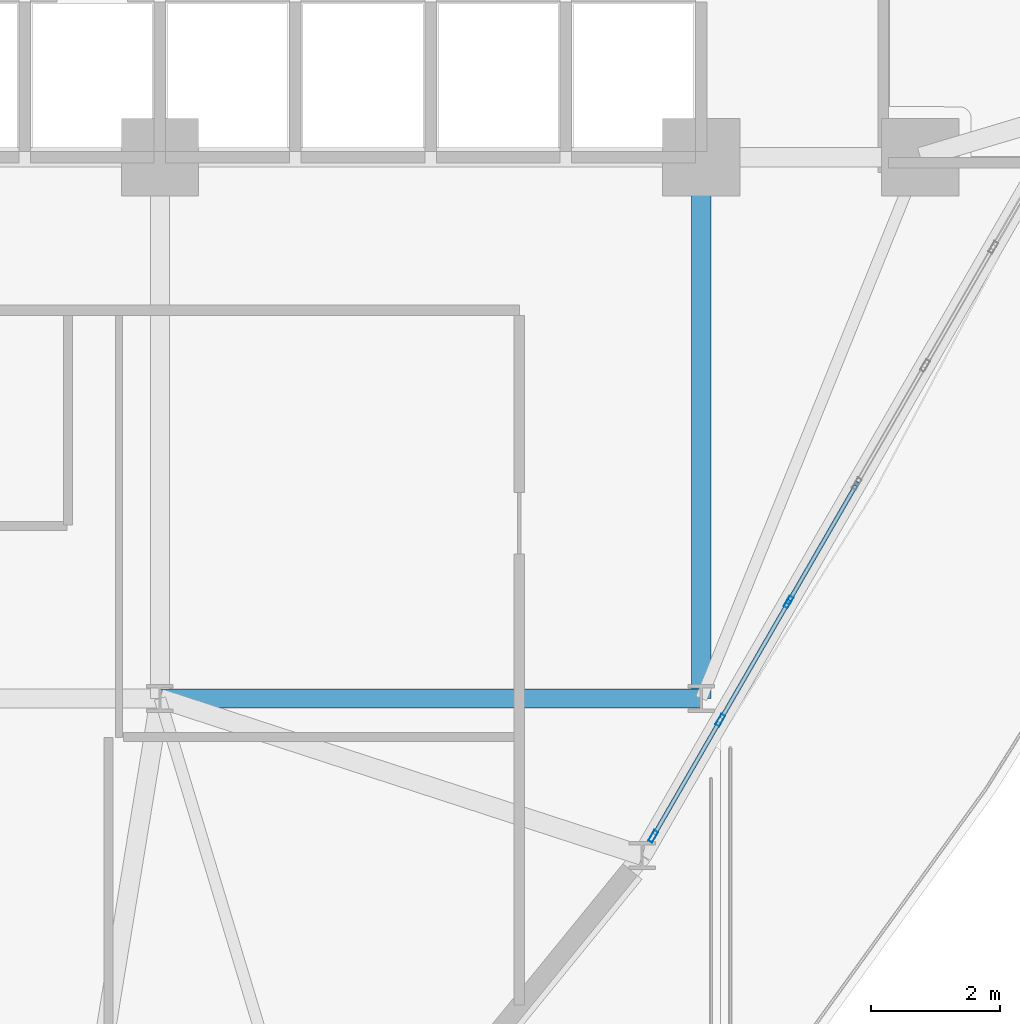
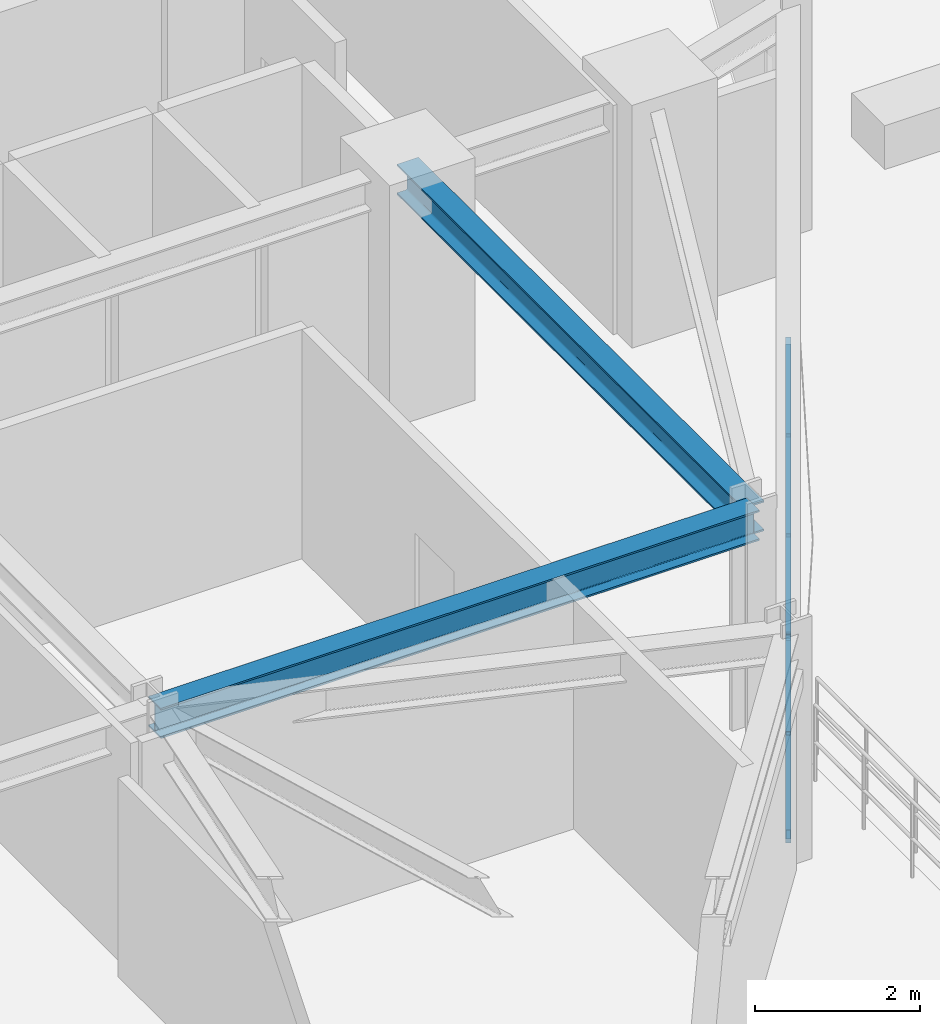
# One storey, part 6 of 18: 10 members, 2 beams, 1 element without a shape of its own.
"""IFC4 building model written with IfcOpenShell, lengths in metres."""

from ifc_helpers import new_model, si_unit, derived_unit, direction, frame, origin, origin_2d, place, context, subcontext, project, spatial, hollow_rectangle, i_section, extrude, source, transform, mapped, material, layer, layer_set, material_profile, profile_set, type_object, element, aggregate, save


model = new_model("IFC4")

# Units and contexts
model_context = context("Model", 3, precision=1e-05, world=origin(), true_north=direction((0.0, 1.0)))
body_context = subcontext(model_context, "Body", "Model", "MODEL_VIEW")
ifc_project = project(units=[si_unit("LENGTHUNIT", "METRE"), si_unit("AREAUNIT", "SQUARE_METRE"), si_unit("VOLUMEUNIT", "CUBIC_METRE"), si_unit("PLANEANGLEUNIT", "RADIAN"), si_unit("MASSUNIT", "GRAM", prefix="KILO"), derived_unit("THERMALTRANSMITTANCEUNIT", [(si_unit("POWERUNIT", "WATT"), 1), (si_unit("LENGTHUNIT", "METRE"), -2), (si_unit("THERMODYNAMICTEMPERATUREUNIT", "KELVIN"), -1)])], contexts=[model_context])

# Site, building, storey
site_placement = place(None, origin())
site = spatial("IfcSite", under=ifc_project, at=site_placement, CompositionType="ELEMENT")
building_placement = place(site_placement, origin())
building = spatial("IfcBuilding", under=site, at=building_placement, Name="Korsvarv Bourse and Concert Hall", CompositionType="ELEMENT")
storey_placement = place(building_placement, frame((0.0, 0.0, 136.199951171875)))
storey = spatial("IfcBuildingStorey", under=building, at=storey_placement, Name="L34", CompositionType="ELEMENT", Elevation=136.199951171875)

# Beams
ifc_material_1 = material(Name="Steel S355", Category="steel")
ifc_material_profile_1 = material_profile(ifc_material_1, i_section(OverallWidth=0.300048828125, OverallDepth=0.449951171875, WebThickness=0.013916015625, FlangeThickness=0.02587890625, FilletRadius=0.02099609375, at=origin_2d()), Name="HEB 450")
ifc_profile_set_1 = profile_set([ifc_material_profile_1], Name="Steel S355")
beam_type = type_object("IfcBeamType", Name="BM-HEB450", PredefinedType="SPANDREL", material=ifc_profile_set_1)
shared_shape_1 = source(origin(), body_context, "Body", "SweptSolid", [
    extrude(i_section(OverallWidth=0.300048828125, OverallDepth=0.449951171875, WebThickness=0.013916015625, FlangeThickness=0.02587890625, FilletRadius=0.02099609375, at=origin_2d()), origin(), (0.0, 0.0, 1.0), 8.39990234375),
])
for number, where, z_axis, x_axis, name in (
    (1, (36.0, 24.0, 3.175048828125), (1.0, 0.0, 0.0), (0.0, 1.0, 0.0), "L34 beam B-08"),
    (2, (44.39990234375, 24.0, 3.175048828125), (0.0, 1.0, 0.0), (-1.0, 0.0, 0.0), "L34 beam B-08"),
):
    element("IfcBeam", number, at=place(storey_placement, frame(where, z_axis=z_axis, x_axis=x_axis)), inside=storey, type_object=beam_type, Name=name, PredefinedType="SPANDREL", context=body_context, shape_type="MappedRepresentation", body=[
        mapped(shared_shape_1, transform((0.0, 0.0, 0.0), scale=1.0)),
    ])

# Curtain wall, members
ifc_material_2 = material(Name="Anodised aluminium and triple low-E glazing", Category="glass")
ifc_layer = layer(ifc_material_2, 0.2099609375)
ifc_layer_set = layer_set([ifc_layer], Name="Anodised aluminium and triple low-E glazing")
curtain_wall_type = type_object("IfcCurtainWallType", Name="CW-SYS-2", PredefinedType="NOTDEFINED", material=ifc_layer_set)
curtain_wall_placement = place(storey_placement, origin())
curtain_wall = element("IfcCurtainWall", 3, at=curtain_wall_placement, inside=storey, type_object=curtain_wall_type, Name="L34 CW2 curtain wall CW-L34-F11", PredefinedType="NOTDEFINED")
ifc_material_3 = material(Name="Extruded aluminium EN AW-6063 T66", Category="aluminium")
ifc_material_profile_2 = material_profile(ifc_material_3, hollow_rectangle(XDim=0.070068359375, YDim=0.18994140625, WallThickness=0.0048828125, at=origin_2d()), Name="ALU-M 70x190")
ifc_profile_set_2 = profile_set([ifc_material_profile_2], Name="Extruded aluminium EN AW-6063 T66")
member_type_1 = type_object("IfcMemberType", Name="CWM-190", PredefinedType="MULLION", material=ifc_profile_set_2)
shared_shape_2 = source(origin(), body_context, "Body", "SweptSolid", [
    extrude(hollow_rectangle(XDim=0.070068359375, YDim=0.18994140625, WallThickness=0.0048828125, at=origin_2d()), origin(), (0.0, 0.0, 1.0), 3.0),
])
member_1_placement = place(storey_placement, frame((43.654296875, 21.8583984375, 0.0), z_axis=(0.0, 0.0, 1.0), x_axis=(-0.866025213439, 0.500000329688, 0.0)))
member_1 = element("IfcMember", 4, at=member_1_placement, type_object=member_type_1, Name="CW2 mullion 1", PredefinedType="MULLION", context=body_context, shape_type="MappedRepresentation", body=[
    mapped(shared_shape_2, transform((0.0, 0.0, 0.0), scale=1.0)),
])
member_2_placement = place(storey_placement, frame((44.696044921875, 23.66259765625, 0.0), z_axis=(0.0, 0.0, 1.0), x_axis=(-0.866025213439, 0.500000329688, 0.0)))
member_2 = element("IfcMember", 5, at=member_2_placement, type_object=member_type_1, Name="CW2 mullion 2", PredefinedType="MULLION", context=body_context, shape_type="MappedRepresentation", body=[
    mapped(shared_shape_2, transform((0.0, 0.0, 0.0), scale=1.0)),
])
member_3_placement = place(storey_placement, frame((45.755126953125, 25.4970703125, 0.0), z_axis=(0.0, 0.0, 1.0), x_axis=(-0.866025213439, 0.500000329688, 0.0)))
member_3 = element("IfcMember", 6, at=member_3_placement, type_object=member_type_1, Name="CW2 mullion 3", PredefinedType="MULLION", context=body_context, shape_type="MappedRepresentation", body=[
    mapped(shared_shape_2, transform((0.0, 0.0, 0.0), scale=1.0)),
])
ifc_material_profile_3 = material_profile(ifc_material_3, hollow_rectangle(XDim=0.06494140625, YDim=0.139892578125, WallThickness=0.00390625, at=origin_2d()), Name="ALU-T 65x140")
ifc_profile_set_3 = profile_set([ifc_material_profile_3], Name="Extruded aluminium EN AW-6063 T66")
member_type_2 = type_object("IfcMemberType", Name="CWT-140", PredefinedType="USERDEFINED", material=ifc_profile_set_3)
shared_shape_3 = source(origin(), body_context, "Body", "SweptSolid", [
    extrude(hollow_rectangle(XDim=0.06494140625, YDim=0.139892578125, WallThickness=0.00390625, at=origin_2d()), origin(), (0.0, 0.0, 1.0), 2.04833984375),
])
member_4_placement = place(storey_placement, frame((44.71337890625, 23.69287109375, 0.032470703125), z_axis=(0.499997581422, 0.866026800146, 0.0), x_axis=(-0.866026800146, 0.499997581422, 0.0)))
member_4 = element("IfcMember", 7, at=member_4_placement, type_object=member_type_2, Name="CW2 transom 2.1", ObjectType="TRANSOM", PredefinedType="USERDEFINED", context=body_context, shape_type="MappedRepresentation", body=[
    mapped(shared_shape_3, transform((0.0, 0.0, 0.0), scale=1.0)),
])
member_5_placement = place(storey_placement, frame((44.71337890625, 23.69287109375, 2.967529296875), z_axis=(0.499997581422, 0.866026800146, 0.0), x_axis=(-0.866026800146, 0.499997581422, 0.0)))
member_5 = element("IfcMember", 8, at=member_5_placement, type_object=member_type_2, Name="CW2 transom 2.2", ObjectType="TRANSOM", PredefinedType="USERDEFINED", context=body_context, shape_type="MappedRepresentation", body=[
    mapped(shared_shape_3, transform((0.0, 0.0, 0.0), scale=1.0)),
])
member_6_placement = place(storey_placement, frame((45.772705078125, 25.52734375, 0.032470703125), z_axis=(0.499908181442, 0.866078408764, 0.0), x_axis=(-0.866078408764, 0.499908181442, 0.0)))
member_6 = element("IfcMember", 9, at=member_6_placement, type_object=member_type_2, Name="CW2 transom 3.1", ObjectType="TRANSOM", PredefinedType="USERDEFINED", context=body_context, shape_type="MappedRepresentation", body=[
    mapped(shared_shape_3, transform((0.0, 0.0, 0.0), scale=1.0)),
])
member_7_placement = place(storey_placement, frame((45.772705078125, 25.52734375, 2.967529296875), z_axis=(0.499908181442, 0.866078408764, 0.0), x_axis=(-0.866078408764, 0.499908181442, 0.0)))
member_7 = element("IfcMember", 10, at=member_7_placement, type_object=member_type_2, Name="CW2 transom 3.2", ObjectType="TRANSOM", PredefinedType="USERDEFINED", context=body_context, shape_type="MappedRepresentation", body=[
    mapped(shared_shape_3, transform((0.0, 0.0, 0.0), scale=1.0)),
])
ifc_material_profile_4 = material_profile(ifc_material_3, hollow_rectangle(XDim=0.06494140625, YDim=0.1650390625, WallThickness=0.0048828125, at=origin_2d()), Name="ALU-M 65x165")
ifc_profile_set_4 = profile_set([ifc_material_profile_4], Name="Extruded aluminium EN AW-6063 T66")
member_type_3 = type_object("IfcMemberType", Name="CWM-165", PredefinedType="MULLION", material=ifc_profile_set_4)
shared_shape_4 = source(origin(), body_context, "Body", "SweptSolid", [
    extrude(hollow_rectangle(XDim=0.06494140625, YDim=0.1650390625, WallThickness=0.0048828125, at=origin_2d()), origin(), (0.0, 0.0, 1.0), 3.526123046875),
])
member_8_placement = place(storey_placement, frame((45.772705078125, 25.52734375, 0.06494140625), z_axis=(0.290391460573, 0.50309593527, 0.813982358249), x_axis=(-0.866078408764, 0.499908181442, 0.0)))
member_8 = element("IfcMember", 11, at=member_8_placement, type_object=member_type_3, Name="CW2 diagonal mullion 3", PredefinedType="MULLION", context=body_context, shape_type="MappedRepresentation", body=[
    mapped(shared_shape_4, transform((0.0, 0.0, 0.0), scale=1.0)),
])
shared_shape_5 = source(origin(), body_context, "Body", "SweptSolid", [
    extrude(hollow_rectangle(XDim=0.06494140625, YDim=0.139892578125, WallThickness=0.00390625, at=origin_2d()), origin(), (0.0, 0.0, 1.0), 2.01318359375),
])
member_9_placement = place(storey_placement, frame((43.671875, 21.888671875, 0.032470703125), z_axis=(0.500012890865, 0.866017961112, 0.0), x_axis=(-0.866017961112, 0.500012890865, 0.0)))
member_9 = element("IfcMember", 12, at=member_9_placement, type_object=member_type_2, Name="CW2 transom 1.1", ObjectType="TRANSOM", PredefinedType="USERDEFINED", context=body_context, shape_type="MappedRepresentation", body=[
    mapped(shared_shape_5, transform((0.0, 0.0, 0.0), scale=1.0)),
])
member_10_placement = place(storey_placement, frame((43.671875, 21.888671875, 2.967529296875), z_axis=(0.500012890865, 0.866017961112, 0.0), x_axis=(-0.866017961112, 0.500012890865, 0.0)))
member_10 = element("IfcMember", 13, at=member_10_placement, type_object=member_type_2, Name="CW2 transom 1.2", ObjectType="TRANSOM", PredefinedType="USERDEFINED", context=body_context, shape_type="MappedRepresentation", body=[
    mapped(shared_shape_5, transform((0.0, 0.0, 0.0), scale=1.0)),
])
aggregate(curtain_wall, [member_1, member_2, member_3, member_9, member_10, member_4, member_5, member_6, member_7, member_8])

save(model, "model.ifc")
